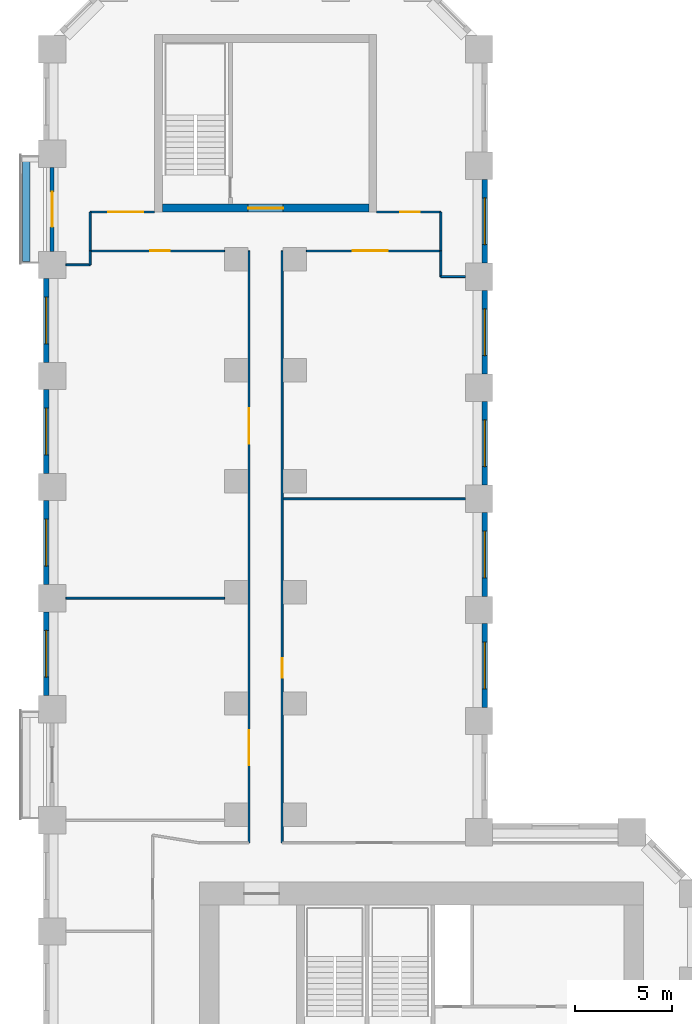
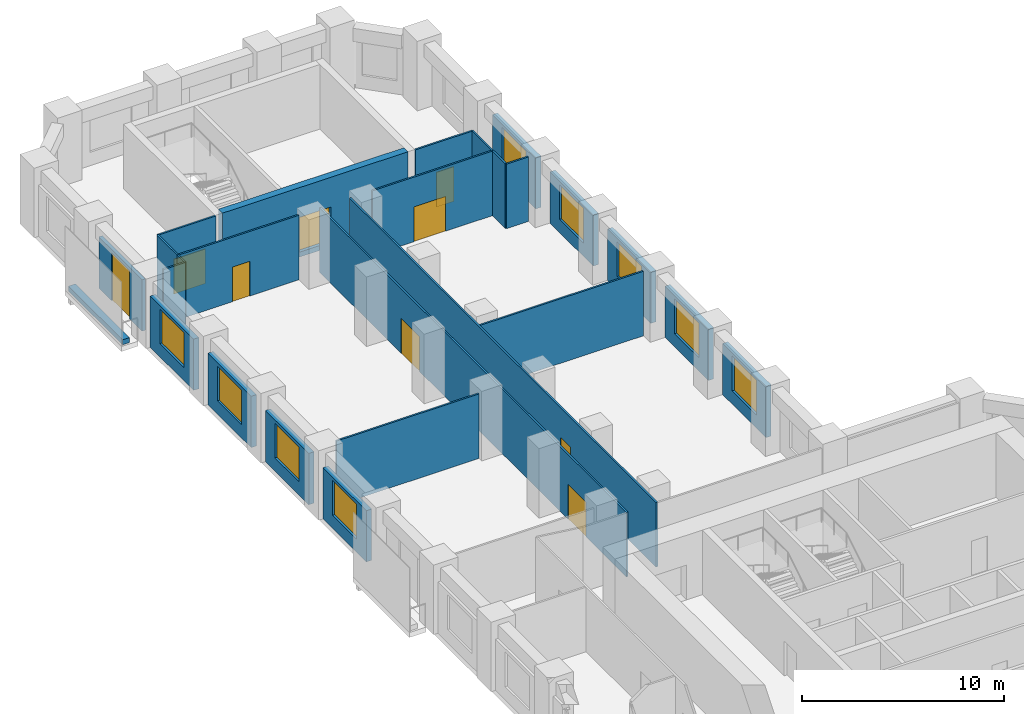
# One storey, part 8 of 11: 26 walls, 9 doors, 9 windows, 18 openings.
"""IFC4 building model written with IfcOpenShell, lengths in metres."""

from ifc_helpers import new_model, si_unit, direction, frame, frame_2d, origin, place, context, subcontext, project, spatial, rectangle, extrude, material, layer, layer_set, type_object, element, fill, save


model = new_model("IFC4")

# Units and contexts
model_context = context("Model", 3, precision=1e-05, world=origin(), true_north=direction((0.0, 1.0)))
body_context = subcontext(model_context, "Body", "Model", "MODEL_VIEW")
ifc_project = project(units=[si_unit("LENGTHUNIT", "METRE"), si_unit("AREAUNIT", "SQUARE_METRE"), si_unit("VOLUMEUNIT", "CUBIC_METRE"), si_unit("PLANEANGLEUNIT", "RADIAN"), si_unit("MASSUNIT", "GRAM", prefix="KILO")], contexts=[model_context])

# Site, building, storey
site_placement = place(None, origin())
site = spatial("IfcSite", under=ifc_project, at=site_placement, CompositionType="ELEMENT")
building_placement = place(site_placement, origin())
building = spatial("IfcBuilding", under=site, at=building_placement, Name="Meshkara Civic Tower", CompositionType="ELEMENT")
storey_placement = place(building_placement, frame((0.0, 0.0, 45.60009765625)))
storey = spatial("IfcBuildingStorey", under=building, at=storey_placement, Name="L09", CompositionType="ELEMENT", Elevation=45.60009765625)

# Wall, opening, door
ifc_material_1 = material(Name="Corridor wall 100")
ifc_layer_1 = layer(ifc_material_1, 0.10009765625)
ifc_layer_set_1 = layer_set([ifc_layer_1], Name="Corridor wall 100")
wall_type_1 = type_object("IfcWallType", Name="Corridor wall 100", PredefinedType="PARTITIONING", material=ifc_layer_set_1)
wall_1_placement = place(storey_placement, frame((2.39990234375, 69.27001953125, 0.0), z_axis=(0.0, 0.0, 1.0), x_axis=(1.0, 0.0, 0.0)))
wall_1 = element("IfcWall", 1, at=wall_1_placement, inside=storey, type_object=wall_type_1, Name="L09-W001", PredefinedType="PARTITIONING", context=body_context, shape_type="SweptSolid", body=[
    extrude(rectangle(XDim=6.900146484375, YDim=0.10009765625, at=frame_2d((3.4501953125, 0.0))), origin(), (0.0, 0.0, 1.0), 3.89990234375),
])
opening_1_placement = place(wall_1_placement, frame((3.080078125, 0.0, 0.0)))
opening_1 = element("IfcOpeningElement", 2, at=opening_1_placement, cuts=wall_1, Name="Opening L09-D026", PredefinedType="OPENING", context=body_context, shape_type="SweptSolid", body=[
    extrude(rectangle(XDim=1.0, YDim=2.10009765625, at=frame_2d((0.5, 1.050048828125))), frame((0.0, 0.06005859375, 0.0), z_axis=(0.0, -1.0, 0.0), x_axis=(1.0, 0.0, 0.0)), (0.0, 0.0, 1.0), 0.1201171875),
])
ifc_material_2 = material(Name="Door 1000 x 2100")
door_type_1 = type_object("IfcDoorType", Name="Door 1000 x 2100", OperationType="SINGLE_SWING_LEFT", PredefinedType="DOOR", material=ifc_material_2)
door_1_placement = place(opening_1_placement, origin())
door_1 = element("IfcDoor", 3, at=door_1_placement, inside=storey, type_object=door_type_1, Name="L09-D026", OperationType="SINGLE_SWING_LEFT", OverallHeight=2.10009765625, OverallWidth=1.0, PredefinedType="DOOR", context=body_context, shape_type="SweptSolid", body=[
    extrude(rectangle(XDim=1.0, YDim=2.10009765625, at=frame_2d((0.5, 1.050048828125))), frame((0.0, 0.02490234375, 0.0), z_axis=(0.0, -1.0, 0.0), x_axis=(1.0, 0.0, 0.0)), (0.0, 0.0, 1.0), 0.050048828125),
])
fill(opening_1, door_1)

# Wall
wall_2_placement = place(storey_placement, frame((2.39990234375, 71.27001953125, 0.0), z_axis=(0.0, 0.0, 1.0), x_axis=(0.0, -1.0, 0.0)))
element("IfcWall", 4, at=wall_2_placement, inside=storey, type_object=wall_type_1, Name="L09-W002", PredefinedType="PARTITIONING", context=body_context, shape_type="SweptSolid", body=[
    extrude(rectangle(XDim=2.0, YDim=0.10009765625, at=frame_2d((1.0, 0.0))), origin(), (0.0, 0.0, 1.0), 3.89990234375),
])

# Wall, opening, door
wall_3_placement = place(storey_placement, frame((5.699951171875, 71.27001953125, 0.0), z_axis=(0.0, 0.0, 1.0), x_axis=(-1.0, 0.0, 0.0)))
wall_3 = element("IfcWall", 5, at=wall_3_placement, inside=storey, type_object=wall_type_1, Name="L09-W006", PredefinedType="PARTITIONING", context=body_context, shape_type="SweptSolid", body=[
    extrude(rectangle(XDim=3.300048828125, YDim=0.10009765625, at=frame_2d((1.64990234375, 0.0))), origin(), (0.0, 0.0, 1.0), 3.89990234375),
])
opening_2_placement = place(wall_3_placement, frame((0.580078125, 0.0, 0.0)))
opening_2 = element("IfcOpeningElement", 6, at=opening_2_placement, cuts=wall_3, Name="Opening L09-D025", PredefinedType="OPENING", context=body_context, shape_type="SweptSolid", body=[
    extrude(rectangle(XDim=1.800048828125, YDim=2.10009765625, at=frame_2d((0.89990234375, 1.050048828125))), frame((0.0, 0.06005859375, 0.0), z_axis=(0.0, -1.0, 0.0), x_axis=(1.0, 0.0, 0.0)), (0.0, 0.0, 1.0), 0.1201171875),
])
ifc_material_3 = material(Name="Door pair 1800 x 2100")
door_type_2 = type_object("IfcDoorType", Name="Door pair 1800 x 2100", OperationType="SINGLE_SWING_LEFT", PredefinedType="DOOR", material=ifc_material_3)
door_2_placement = place(opening_2_placement, origin())
door_2 = element("IfcDoor", 7, at=door_2_placement, inside=storey, type_object=door_type_2, Name="L09-D025", OperationType="DOUBLE_DOOR_SINGLE_SWING", OverallHeight=2.10009765625, OverallWidth=1.800048828125, PredefinedType="DOOR", context=body_context, shape_type="SweptSolid", body=[
    extrude(rectangle(XDim=1.800048828125, YDim=2.10009765625, at=frame_2d((0.89990234375, 1.050048828125))), frame((0.0, 0.02490234375, 0.0), z_axis=(0.0, -1.0, 0.0), x_axis=(1.0, 0.0, 0.0)), (0.0, 0.0, 1.0), 0.050048828125),
])
fill(opening_2, door_2)

# Wall, openings, doors
wall_4_placement = place(storey_placement, frame((10.550048828125, 69.27001953125, 0.0), z_axis=(0.0, 0.0, 1.0), x_axis=(0.0, -1.0, 0.0)))
wall_4 = element("IfcWall", 8, at=wall_4_placement, inside=storey, type_object=wall_type_1, Name="L09-W014", PredefinedType="PARTITIONING", context=body_context, shape_type="SweptSolid", body=[
    extrude(rectangle(XDim=30.3701171875, YDim=0.10009765625, at=frame_2d((15.18505859375, 0.0))), origin(), (0.0, 0.0, 1.0), 3.89990234375),
])
opening_3_placement = place(wall_4_placement, frame((24.594970703125, 0.0, 0.0)))
opening_3 = element("IfcOpeningElement", 9, at=opening_3_placement, cuts=wall_4, Name="Opening L09-D022", PredefinedType="OPENING", context=body_context, shape_type="SweptSolid", body=[
    extrude(rectangle(XDim=1.800048828125, YDim=2.10009765625, at=frame_2d((0.89990234375, 1.050048828125))), frame((0.0, 0.06005859375, 0.0), z_axis=(0.0, -1.0, 0.0), x_axis=(1.0, 0.0, 0.0)), (0.0, 0.0, 1.0), 0.1201171875),
])
opening_4_placement = place(wall_4_placement, frame((8.080078125, 0.0, 0.0)))
opening_4 = element("IfcOpeningElement", 10, at=opening_4_placement, cuts=wall_4, Name="Opening L09-D024", PredefinedType="OPENING", context=body_context, shape_type="SweptSolid", body=[
    extrude(rectangle(XDim=1.800048828125, YDim=2.10009765625, at=frame_2d((0.89990234375, 1.050048828125))), frame((0.0, 0.06005859375, 0.0), z_axis=(0.0, -1.0, 0.0), x_axis=(1.0, 0.0, 0.0)), (0.0, 0.0, 1.0), 0.1201171875),
])
door_3_placement = place(opening_3_placement, origin())
door_3 = element("IfcDoor", 11, at=door_3_placement, inside=storey, type_object=door_type_2, Name="L09-D022", OperationType="DOUBLE_DOOR_SINGLE_SWING", OverallHeight=2.10009765625, OverallWidth=1.800048828125, PredefinedType="DOOR", context=body_context, shape_type="SweptSolid", body=[
    extrude(rectangle(XDim=1.800048828125, YDim=2.10009765625, at=frame_2d((0.89990234375, 1.050048828125))), frame((0.0, 0.02490234375, 0.0), z_axis=(0.0, -1.0, 0.0), x_axis=(1.0, 0.0, 0.0)), (0.0, 0.0, 1.0), 0.050048828125),
])
fill(opening_3, door_3)
door_4_placement = place(opening_4_placement, origin())
door_4 = element("IfcDoor", 12, at=door_4_placement, inside=storey, type_object=door_type_2, Name="L09-D024", OperationType="DOUBLE_DOOR_SINGLE_SWING", OverallHeight=2.10009765625, OverallWidth=1.800048828125, PredefinedType="DOOR", context=body_context, shape_type="SweptSolid", body=[
    extrude(rectangle(XDim=1.800048828125, YDim=2.10009765625, at=frame_2d((0.89990234375, 1.050048828125))), frame((0.0, 0.02490234375, 0.0), z_axis=(0.0, -1.0, 0.0), x_axis=(1.0, 0.0, 0.0)), (0.0, 0.0, 1.0), 0.050048828125),
])
fill(opening_4, door_4)

# Wall, opening, door
wall_5_placement = place(storey_placement, frame((12.25, 69.27001953125, 0.0), z_axis=(0.0, 0.0, 1.0), x_axis=(0.0, -1.0, 0.0)))
wall_5 = element("IfcWall", 13, at=wall_5_placement, inside=storey, type_object=wall_type_1, Name="L09-W015", PredefinedType="PARTITIONING", context=body_context, shape_type="SweptSolid", body=[
    extrude(rectangle(XDim=30.3701171875, YDim=0.10009765625, at=frame_2d((15.18505859375, 0.0))), origin(), (0.0, 0.0, 1.0), 3.89990234375),
])
opening_5_placement = place(wall_5_placement, frame((20.89990234375, 0.0, 0.0)))
opening_5 = element("IfcOpeningElement", 14, at=opening_5_placement, cuts=wall_5, Name="Opening L09-D023", PredefinedType="OPENING", context=body_context, shape_type="SweptSolid", body=[
    extrude(rectangle(XDim=1.0, YDim=2.10009765625, at=frame_2d((0.5, 1.050048828125))), frame((0.0, 0.06005859375, 0.0), z_axis=(0.0, -1.0, 0.0), x_axis=(1.0, 0.0, 0.0)), (0.0, 0.0, 1.0), 0.1201171875),
])
door_5_placement = place(opening_5_placement, origin())
door_5 = element("IfcDoor", 15, at=door_5_placement, inside=storey, type_object=door_type_1, Name="L09-D023", OperationType="SINGLE_SWING_LEFT", OverallHeight=2.10009765625, OverallWidth=1.0, PredefinedType="DOOR", context=body_context, shape_type="SweptSolid", body=[
    extrude(rectangle(XDim=1.0, YDim=2.10009765625, at=frame_2d((0.5, 1.050048828125))), frame((0.0, 0.02490234375, 0.0), z_axis=(0.0, -1.0, 0.0), x_axis=(1.0, 0.0, 0.0)), (0.0, 0.0, 1.0), 0.050048828125),
])
fill(opening_5, door_5)

wall_6_placement = place(storey_placement, frame((13.5, 69.27001953125, 0.0), z_axis=(0.0, 0.0, 1.0), x_axis=(1.0, 0.0, 0.0)))
wall_6 = element("IfcWall", 16, at=wall_6_placement, inside=storey, type_object=wall_type_1, Name="L09-W017", PredefinedType="PARTITIONING", context=body_context, shape_type="SweptSolid", body=[
    extrude(rectangle(XDim=6.89990234375, YDim=0.10009765625, at=frame_2d((3.449951171875, 0.0))), origin(), (0.0, 0.0, 1.0), 3.89990234375),
])
opening_6_placement = place(wall_6_placement, frame((2.3798828125, 0.0, 0.0)))
opening_6 = element("IfcOpeningElement", 17, at=opening_6_placement, cuts=wall_6, Name="Opening L09-D027", PredefinedType="OPENING", context=body_context, shape_type="SweptSolid", body=[
    extrude(rectangle(XDim=1.800048828125, YDim=2.10009765625, at=frame_2d((0.89990234375, 1.050048828125))), frame((0.0, 0.06005859375, 0.0), z_axis=(0.0, -1.0, 0.0), x_axis=(1.0, 0.0, 0.0)), (0.0, 0.0, 1.0), 0.1201171875),
])
door_6_placement = place(opening_6_placement, origin())
door_6 = element("IfcDoor", 18, at=door_6_placement, inside=storey, type_object=door_type_2, Name="L09-D027", OperationType="DOUBLE_DOOR_SINGLE_SWING", OverallHeight=2.10009765625, OverallWidth=1.800048828125, PredefinedType="DOOR", context=body_context, shape_type="SweptSolid", body=[
    extrude(rectangle(XDim=1.800048828125, YDim=2.10009765625, at=frame_2d((0.89990234375, 1.050048828125))), frame((0.0, 0.02490234375, 0.0), z_axis=(0.0, -1.0, 0.0), x_axis=(1.0, 0.0, 0.0)), (0.0, 0.0, 1.0), 0.050048828125),
])
fill(opening_6, door_6)

# Wall
wall_7_placement = place(storey_placement, frame((20.39990234375, 69.27001953125, 0.0), z_axis=(0.0, 0.0, 1.0), x_axis=(0.0, 1.0, 0.0)))
element("IfcWall", 19, at=wall_7_placement, inside=storey, type_object=wall_type_1, Name="L09-W018", PredefinedType="PARTITIONING", context=body_context, shape_type="SweptSolid", body=[
    extrude(rectangle(XDim=2.0, YDim=0.10009765625, at=frame_2d((1.0, 0.0))), origin(), (0.0, 0.0, 1.0), 3.89990234375),
])

# Wall, opening, door
wall_8_placement = place(storey_placement, frame((20.39990234375, 71.27001953125, 0.0), z_axis=(0.0, 0.0, 1.0), x_axis=(-1.0, 0.0, 0.0)))
wall_8 = element("IfcWall", 20, at=wall_8_placement, inside=storey, type_object=wall_type_1, Name="L09-W019", PredefinedType="PARTITIONING", context=body_context, shape_type="SweptSolid", body=[
    extrude(rectangle(XDim=3.2998046875, YDim=0.10009765625, at=frame_2d((1.64990234375, 0.0))), origin(), (0.0, 0.0, 1.0), 3.89990234375),
])
opening_7_placement = place(wall_8_placement, frame((1.080078125, 0.0, 0.0)))
opening_7 = element("IfcOpeningElement", 21, at=opening_7_placement, cuts=wall_8, Name="Opening L09-D028", PredefinedType="OPENING", context=body_context, shape_type="SweptSolid", body=[
    extrude(rectangle(XDim=1.0, YDim=2.10009765625, at=frame_2d((0.5, 1.050048828125))), frame((0.0, 0.06005859375, 0.0), z_axis=(0.0, -1.0, 0.0), x_axis=(1.0, 0.0, 0.0)), (0.0, 0.0, 1.0), 0.1201171875),
])
door_7_placement = place(opening_7_placement, origin())
door_7 = element("IfcDoor", 22, at=door_7_placement, inside=storey, type_object=door_type_1, Name="L09-D028", OperationType="SINGLE_SWING_RIGHT", OverallHeight=2.10009765625, OverallWidth=1.0, PredefinedType="DOOR", context=body_context, shape_type="SweptSolid", body=[
    extrude(rectangle(XDim=1.0, YDim=2.10009765625, at=frame_2d((0.5, 1.050048828125))), frame((0.0, 0.02490234375, 0.0), z_axis=(0.0, -1.0, 0.0), x_axis=(1.0, 0.0, 0.0)), (0.0, 0.0, 1.0), 0.050048828125),
])
fill(opening_7, door_7)

# Wall, opening, window
ifc_material_4 = material(Name="Insulated infill panel with bronze anodised aluminium cladding", Category="aluminium")
ifc_layer_2 = layer(ifc_material_4, 0.300048828125)
ifc_layer_set_2 = layer_set([ifc_layer_2], Name="EXTERNAL INFILL WALL 300")
wall_type_2 = type_object("IfcWallType", Name="EXTERNAL INFILL WALL 300", PredefinedType="SOLIDWALL", material=ifc_layer_set_2)
wall_9_placement = place(storey_placement, frame((22.64990234375, 45.85009765625, 0.0), z_axis=(0.0, 0.0, 1.0), x_axis=(0.0, 1.0, 0.0)))
wall_9 = element("IfcWall", 23, at=wall_9_placement, inside=storey, type_object=wall_type_2, Name="External wall", PredefinedType="SOLIDWALL", context=body_context, shape_type="SweptSolid", body=[
    extrude(rectangle(XDim=4.2998046875, YDim=0.300048828125, at=frame_2d((2.14990234375, 0.0))), origin(), (0.0, 0.0, 1.0), 3.099853515625),
])
opening_8_placement = place(wall_9_placement, frame((0.949951171875, 0.0, 0.800048828125)))
opening_8 = element("IfcOpeningElement", 24, at=opening_8_placement, cuts=wall_9, Name="Opening W7", PredefinedType="OPENING", context=body_context, shape_type="SweptSolid", body=[
    extrude(rectangle(XDim=2.39990234375, YDim=2.10009765625, at=frame_2d((1.199951171875, 1.050048828125))), frame((0.0, 0.159912109375, 0.0), z_axis=(0.0, -1.0, 0.0), x_axis=(1.0, 0.0, 0.0)), (0.0, 0.0, 1.0), 0.320068359375),
])
ifc_material_5 = material(Name="Tinted double glazing", Category="glass")
window_type = type_object("IfcWindowType", Name="WINDOW 2400x2100", PartitioningType="DOUBLE_PANEL_VERTICAL", PredefinedType="WINDOW", material=ifc_material_5)
window_1_placement = place(opening_8_placement, origin())
window_1 = element("IfcWindow", 25, at=window_1_placement, inside=storey, type_object=window_type, Name="Window", OverallHeight=2.10009765625, OverallWidth=2.39990234375, PartitioningType="DOUBLE_PANEL_VERTICAL", PredefinedType="WINDOW", context=body_context, shape_type="SweptSolid", body=[
    extrude(rectangle(XDim=2.39990234375, YDim=2.10009765625, at=frame_2d((1.199951171875, 1.050048828125))), frame((0.0, 0.030029296875, 0.0), z_axis=(0.0, -1.0, 0.0), x_axis=(1.0, 0.0, 0.0)), (0.0, 0.0, 1.0), 0.06005859375),
])
fill(opening_8, window_1)

wall_10_placement = place(storey_placement, frame((22.64990234375, 51.550048828125, 0.0), z_axis=(0.0, 0.0, 1.0), x_axis=(0.0, 1.0, 0.0)))
wall_10 = element("IfcWall", 26, at=wall_10_placement, inside=storey, type_object=wall_type_2, Name="External wall", PredefinedType="SOLIDWALL", context=body_context, shape_type="SweptSolid", body=[
    extrude(rectangle(XDim=4.300048828125, YDim=0.300048828125, at=frame_2d((2.14990234375, 0.0))), origin(), (0.0, 0.0, 1.0), 3.099853515625),
])
opening_9_placement = place(wall_10_placement, frame((0.949951171875, 0.0, 0.800048828125)))
opening_9 = element("IfcOpeningElement", 27, at=opening_9_placement, cuts=wall_10, Name="Opening W7", PredefinedType="OPENING", context=body_context, shape_type="SweptSolid", body=[
    extrude(rectangle(XDim=2.39990234375, YDim=2.10009765625, at=frame_2d((1.199951171875, 1.050048828125))), frame((0.0, 0.159912109375, 0.0), z_axis=(0.0, -1.0, 0.0), x_axis=(1.0, 0.0, 0.0)), (0.0, 0.0, 1.0), 0.320068359375),
])
window_2_placement = place(opening_9_placement, origin())
window_2 = element("IfcWindow", 28, at=window_2_placement, inside=storey, type_object=window_type, Name="Window", OverallHeight=2.10009765625, OverallWidth=2.39990234375, PartitioningType="DOUBLE_PANEL_VERTICAL", PredefinedType="WINDOW", context=body_context, shape_type="SweptSolid", body=[
    extrude(rectangle(XDim=2.39990234375, YDim=2.10009765625, at=frame_2d((1.199951171875, 1.050048828125))), frame((0.0, 0.030029296875, 0.0), z_axis=(0.0, -1.0, 0.0), x_axis=(1.0, 0.0, 0.0)), (0.0, 0.0, 1.0), 0.06005859375),
])
fill(opening_9, window_2)

wall_11_placement = place(storey_placement, frame((22.64990234375, 57.25, 0.0), z_axis=(0.0, 0.0, 1.0), x_axis=(0.0, 1.0, 0.0)))
wall_11 = element("IfcWall", 29, at=wall_11_placement, inside=storey, type_object=wall_type_2, Name="External wall", PredefinedType="SOLIDWALL", context=body_context, shape_type="SweptSolid", body=[
    extrude(rectangle(XDim=4.300048828125, YDim=0.300048828125, at=frame_2d((2.14990234375, 0.0))), origin(), (0.0, 0.0, 1.0), 3.099853515625),
])
opening_10_placement = place(wall_11_placement, frame((0.949951171875, 0.0, 0.800048828125)))
opening_10 = element("IfcOpeningElement", 30, at=opening_10_placement, cuts=wall_11, Name="Opening W7", PredefinedType="OPENING", context=body_context, shape_type="SweptSolid", body=[
    extrude(rectangle(XDim=2.39990234375, YDim=2.10009765625, at=frame_2d((1.199951171875, 1.050048828125))), frame((0.0, 0.159912109375, 0.0), z_axis=(0.0, -1.0, 0.0), x_axis=(1.0, 0.0, 0.0)), (0.0, 0.0, 1.0), 0.320068359375),
])
window_3_placement = place(opening_10_placement, origin())
window_3 = element("IfcWindow", 31, at=window_3_placement, inside=storey, type_object=window_type, Name="Window", OverallHeight=2.10009765625, OverallWidth=2.39990234375, PartitioningType="DOUBLE_PANEL_VERTICAL", PredefinedType="WINDOW", context=body_context, shape_type="SweptSolid", body=[
    extrude(rectangle(XDim=2.39990234375, YDim=2.10009765625, at=frame_2d((1.199951171875, 1.050048828125))), frame((0.0, 0.030029296875, 0.0), z_axis=(0.0, -1.0, 0.0), x_axis=(1.0, 0.0, 0.0)), (0.0, 0.0, 1.0), 0.06005859375),
])
fill(opening_10, window_3)

wall_12_placement = place(storey_placement, frame((22.64990234375, 62.949951171875, 0.0), z_axis=(0.0, 0.0, 1.0), x_axis=(0.0, 1.0, 0.0)))
wall_12 = element("IfcWall", 32, at=wall_12_placement, inside=storey, type_object=wall_type_2, Name="External wall", PredefinedType="SOLIDWALL", context=body_context, shape_type="SweptSolid", body=[
    extrude(rectangle(XDim=4.300048828125, YDim=0.300048828125, at=frame_2d((2.14990234375, 0.0))), origin(), (0.0, 0.0, 1.0), 3.099853515625),
])
opening_11_placement = place(wall_12_placement, frame((0.949951171875, 0.0, 0.800048828125)))
opening_11 = element("IfcOpeningElement", 33, at=opening_11_placement, cuts=wall_12, Name="Opening W7", PredefinedType="OPENING", context=body_context, shape_type="SweptSolid", body=[
    extrude(rectangle(XDim=2.39990234375, YDim=2.10009765625, at=frame_2d((1.199951171875, 1.050048828125))), frame((0.0, 0.159912109375, 0.0), z_axis=(0.0, -1.0, 0.0), x_axis=(1.0, 0.0, 0.0)), (0.0, 0.0, 1.0), 0.320068359375),
])
window_4_placement = place(opening_11_placement, origin())
window_4 = element("IfcWindow", 34, at=window_4_placement, inside=storey, type_object=window_type, Name="Window", OverallHeight=2.10009765625, OverallWidth=2.39990234375, PartitioningType="DOUBLE_PANEL_VERTICAL", PredefinedType="WINDOW", context=body_context, shape_type="SweptSolid", body=[
    extrude(rectangle(XDim=2.39990234375, YDim=2.10009765625, at=frame_2d((1.199951171875, 1.050048828125))), frame((0.0, 0.030029296875, 0.0), z_axis=(0.0, -1.0, 0.0), x_axis=(1.0, 0.0, 0.0)), (0.0, 0.0, 1.0), 0.06005859375),
])
fill(opening_11, window_4)

wall_13_placement = place(storey_placement, frame((22.64990234375, 68.64990234375, 0.0), z_axis=(0.0, 0.0, 1.0), x_axis=(0.0, 1.0, 0.0)))
wall_13 = element("IfcWall", 35, at=wall_13_placement, inside=storey, type_object=wall_type_2, Name="External wall", PredefinedType="SOLIDWALL", context=body_context, shape_type="SweptSolid", body=[
    extrude(rectangle(XDim=4.300048828125, YDim=0.300048828125, at=frame_2d((2.14990234375, 0.0))), origin(), (0.0, 0.0, 1.0), 3.099853515625),
])
opening_12_placement = place(wall_13_placement, frame((0.949951171875, 0.0, 0.800048828125)))
opening_12 = element("IfcOpeningElement", 36, at=opening_12_placement, cuts=wall_13, Name="Opening W7", PredefinedType="OPENING", context=body_context, shape_type="SweptSolid", body=[
    extrude(rectangle(XDim=2.39990234375, YDim=2.10009765625, at=frame_2d((1.199951171875, 1.050048828125))), frame((0.0, 0.159912109375, 0.0), z_axis=(0.0, -1.0, 0.0), x_axis=(1.0, 0.0, 0.0)), (0.0, 0.0, 1.0), 0.320068359375),
])
window_5_placement = place(opening_12_placement, origin())
window_5 = element("IfcWindow", 37, at=window_5_placement, inside=storey, type_object=window_type, Name="Window", OverallHeight=2.10009765625, OverallWidth=2.39990234375, PartitioningType="DOUBLE_PANEL_VERTICAL", PredefinedType="WINDOW", context=body_context, shape_type="SweptSolid", body=[
    extrude(rectangle(XDim=2.39990234375, YDim=2.10009765625, at=frame_2d((1.199951171875, 1.050048828125))), frame((0.0, 0.030029296875, 0.0), z_axis=(0.0, -1.0, 0.0), x_axis=(1.0, 0.0, 0.0)), (0.0, 0.0, 1.0), 0.06005859375),
])
fill(opening_12, window_5)

wall_14_placement = place(storey_placement, frame((0.14990234375, 67.85498046875, 0.0), z_axis=(0.0, 0.0, 1.0), x_axis=(0.0, -1.0, 0.0)))
wall_14 = element("IfcWall", 38, at=wall_14_placement, inside=storey, type_object=wall_type_2, Name="External wall", PredefinedType="SOLIDWALL", context=body_context, shape_type="SweptSolid", body=[
    extrude(rectangle(XDim=4.300048828125, YDim=0.300048828125, at=frame_2d((2.14990234375, 0.0))), origin(), (0.0, 0.0, 1.0), 3.099853515625),
])
opening_13_placement = place(wall_14_placement, frame((0.949951171875, 0.0, 0.800048828125)))
opening_13 = element("IfcOpeningElement", 39, at=opening_13_placement, cuts=wall_14, Name="Opening W7", PredefinedType="OPENING", context=body_context, shape_type="SweptSolid", body=[
    extrude(rectangle(XDim=2.39990234375, YDim=2.10009765625, at=frame_2d((1.199951171875, 1.050048828125))), frame((0.0, 0.159912109375, 0.0), z_axis=(0.0, -1.0, 0.0), x_axis=(1.0, 0.0, 0.0)), (0.0, 0.0, 1.0), 0.320068359375),
])
window_6_placement = place(opening_13_placement, origin())
window_6 = element("IfcWindow", 40, at=window_6_placement, inside=storey, type_object=window_type, Name="Window", OverallHeight=2.10009765625, OverallWidth=2.39990234375, PartitioningType="DOUBLE_PANEL_VERTICAL", PredefinedType="WINDOW", context=body_context, shape_type="SweptSolid", body=[
    extrude(rectangle(XDim=2.39990234375, YDim=2.10009765625, at=frame_2d((1.199951171875, 1.050048828125))), frame((0.0, 0.030029296875, 0.0), z_axis=(0.0, -1.0, 0.0), x_axis=(1.0, 0.0, 0.0)), (0.0, 0.0, 1.0), 0.06005859375),
])
fill(opening_13, window_6)

wall_15_placement = place(storey_placement, frame((0.14990234375, 62.155029296875, 0.0), z_axis=(0.0, 0.0, 1.0), x_axis=(0.0, -1.0, 0.0)))
wall_15 = element("IfcWall", 41, at=wall_15_placement, inside=storey, type_object=wall_type_2, Name="External wall", PredefinedType="SOLIDWALL", context=body_context, shape_type="SweptSolid", body=[
    extrude(rectangle(XDim=4.300048828125, YDim=0.300048828125, at=frame_2d((2.14990234375, 0.0))), origin(), (0.0, 0.0, 1.0), 3.099853515625),
])
opening_14_placement = place(wall_15_placement, frame((0.949951171875, 0.0, 0.800048828125)))
opening_14 = element("IfcOpeningElement", 42, at=opening_14_placement, cuts=wall_15, Name="Opening W7", PredefinedType="OPENING", context=body_context, shape_type="SweptSolid", body=[
    extrude(rectangle(XDim=2.39990234375, YDim=2.10009765625, at=frame_2d((1.199951171875, 1.050048828125))), frame((0.0, 0.159912109375, 0.0), z_axis=(0.0, -1.0, 0.0), x_axis=(1.0, 0.0, 0.0)), (0.0, 0.0, 1.0), 0.320068359375),
])
window_7_placement = place(opening_14_placement, origin())
window_7 = element("IfcWindow", 43, at=window_7_placement, inside=storey, type_object=window_type, Name="Window", OverallHeight=2.10009765625, OverallWidth=2.39990234375, PartitioningType="DOUBLE_PANEL_VERTICAL", PredefinedType="WINDOW", context=body_context, shape_type="SweptSolid", body=[
    extrude(rectangle(XDim=2.39990234375, YDim=2.10009765625, at=frame_2d((1.199951171875, 1.050048828125))), frame((0.0, 0.030029296875, 0.0), z_axis=(0.0, -1.0, 0.0), x_axis=(1.0, 0.0, 0.0)), (0.0, 0.0, 1.0), 0.06005859375),
])
fill(opening_14, window_7)

wall_16_placement = place(storey_placement, frame((0.14990234375, 56.455078125, 0.0), z_axis=(0.0, 0.0, 1.0), x_axis=(0.0, -1.0, 0.0)))
wall_16 = element("IfcWall", 44, at=wall_16_placement, inside=storey, type_object=wall_type_2, Name="External wall", PredefinedType="SOLIDWALL", context=body_context, shape_type="SweptSolid", body=[
    extrude(rectangle(XDim=4.300048828125, YDim=0.300048828125, at=frame_2d((2.14990234375, 0.0))), origin(), (0.0, 0.0, 1.0), 3.099853515625),
])
opening_15_placement = place(wall_16_placement, frame((0.949951171875, 0.0, 0.800048828125)))
opening_15 = element("IfcOpeningElement", 45, at=opening_15_placement, cuts=wall_16, Name="Opening W7", PredefinedType="OPENING", context=body_context, shape_type="SweptSolid", body=[
    extrude(rectangle(XDim=2.39990234375, YDim=2.10009765625, at=frame_2d((1.199951171875, 1.050048828125))), frame((0.0, 0.159912109375, 0.0), z_axis=(0.0, -1.0, 0.0), x_axis=(1.0, 0.0, 0.0)), (0.0, 0.0, 1.0), 0.320068359375),
])
window_8_placement = place(opening_15_placement, origin())
window_8 = element("IfcWindow", 46, at=window_8_placement, inside=storey, type_object=window_type, Name="Window", OverallHeight=2.10009765625, OverallWidth=2.39990234375, PartitioningType="DOUBLE_PANEL_VERTICAL", PredefinedType="WINDOW", context=body_context, shape_type="SweptSolid", body=[
    extrude(rectangle(XDim=2.39990234375, YDim=2.10009765625, at=frame_2d((1.199951171875, 1.050048828125))), frame((0.0, 0.030029296875, 0.0), z_axis=(0.0, -1.0, 0.0), x_axis=(1.0, 0.0, 0.0)), (0.0, 0.0, 1.0), 0.06005859375),
])
fill(opening_15, window_8)

wall_17_placement = place(storey_placement, frame((0.14990234375, 50.7548828125, 0.0), z_axis=(0.0, 0.0, 1.0), x_axis=(0.0, -1.0, 0.0)))
wall_17 = element("IfcWall", 47, at=wall_17_placement, inside=storey, type_object=wall_type_2, Name="External wall", PredefinedType="SOLIDWALL", context=body_context, shape_type="SweptSolid", body=[
    extrude(rectangle(XDim=4.2998046875, YDim=0.300048828125, at=frame_2d((2.14990234375, 0.0))), origin(), (0.0, 0.0, 1.0), 3.099853515625),
])
opening_16_placement = place(wall_17_placement, frame((0.949951171875, 0.0, 0.800048828125)))
opening_16 = element("IfcOpeningElement", 48, at=opening_16_placement, cuts=wall_17, Name="Opening W7", PredefinedType="OPENING", context=body_context, shape_type="SweptSolid", body=[
    extrude(rectangle(XDim=2.39990234375, YDim=2.10009765625, at=frame_2d((1.199951171875, 1.050048828125))), frame((0.0, 0.159912109375, 0.0), z_axis=(0.0, -1.0, 0.0), x_axis=(1.0, 0.0, 0.0)), (0.0, 0.0, 1.0), 0.320068359375),
])
window_9_placement = place(opening_16_placement, origin())
window_9 = element("IfcWindow", 49, at=window_9_placement, inside=storey, type_object=window_type, Name="Window", OverallHeight=2.10009765625, OverallWidth=2.39990234375, PartitioningType="DOUBLE_PANEL_VERTICAL", PredefinedType="WINDOW", context=body_context, shape_type="SweptSolid", body=[
    extrude(rectangle(XDim=2.39990234375, YDim=2.10009765625, at=frame_2d((1.199951171875, 1.050048828125))), frame((0.0, 0.030029296875, 0.0), z_axis=(0.0, -1.0, 0.0), x_axis=(1.0, 0.0, 0.0)), (0.0, 0.0, 1.0), 0.06005859375),
])
fill(opening_16, window_9)

# Wall, opening, door
ifc_material_6 = material(Name="Concrete C80", Category="concrete")
ifc_layer_3 = layer(ifc_material_6, 0.39990234375)
ifc_layer_set_3 = layer_set([ifc_layer_3], Name="End core ring wall 400 C80")
wall_type_3 = type_object("IfcWallType", Name="End core ring wall 400 C80", PredefinedType="SHEAR", material=ifc_layer_set_3)
wall_18_placement = place(storey_placement, frame((6.10009765625, 71.469970703125, -0.300048828125), z_axis=(0.0, 0.0, 1.0), x_axis=(1.0, 0.0, 0.0)))
wall_18 = element("IfcWall", 50, at=wall_18_placement, inside=storey, type_object=wall_type_3, Name="L09-C027", PredefinedType="SHEAR", context=body_context, shape_type="SweptSolid", body=[
    extrude(rectangle(XDim=10.599853515625, YDim=0.39990234375, at=frame_2d((5.2998046875, 0.0))), origin(), (0.0, 0.0, 1.0), 4.199951171875),
])
opening_17_placement = place(wall_18_placement, frame((4.39990234375, 0.0, 0.300048828125)))
opening_17 = element("IfcOpeningElement", 51, at=opening_17_placement, cuts=wall_18, Name="Opening L09-K102", PredefinedType="OPENING", context=body_context, shape_type="SweptSolid", body=[
    extrude(rectangle(XDim=1.800048828125, YDim=2.10009765625, at=frame_2d((0.89990234375, 1.050048828125))), frame((0.0, 0.2099609375, 0.0), z_axis=(0.0, -1.0, 0.0), x_axis=(1.0, 0.0, 0.0)), (0.0, 0.0, 1.0), 0.419921875),
])
ifc_material_7 = material(Name="Fire-rated door leaf in steel frame", Category="steel")
door_type_3 = type_object("IfcDoorType", Name="Core double door 1800 EI 60", OperationType="DOUBLE_DOOR_SINGLE_SWING", PredefinedType="DOOR", material=ifc_material_7)
door_8_placement = place(opening_17_placement, origin())
door_8 = element("IfcDoor", 52, at=door_8_placement, inside=storey, type_object=door_type_3, Name="L09-K102", OperationType="DOUBLE_DOOR_SINGLE_SWING", OverallHeight=2.10009765625, OverallWidth=1.800048828125, PredefinedType="DOOR", context=body_context, shape_type="SweptSolid", body=[
    extrude(rectangle(XDim=1.800048828125, YDim=2.10009765625, at=frame_2d((0.89990234375, 1.050048828125))), frame((0.0, 0.02490234375, 0.0), z_axis=(0.0, -1.0, 0.0), x_axis=(1.0, 0.0, 0.0)), (0.0, 0.0, 1.0), 0.050048828125),
])
fill(opening_17, door_8)

ifc_material_8 = material(Name="Insulated infill panel with bronze anodised aluminium cladding", Category="aluminium")
ifc_layer_4 = layer(ifc_material_8, 0.199951171875)
ifc_layer_set_4 = layer_set([ifc_layer_4], Name="LOGGIA BACK WALL 200")
wall_type_4 = type_object("IfcWallType", Name="LOGGIA BACK WALL 200", PredefinedType="SOLIDWALL", material=ifc_layer_set_4)
wall_19_placement = place(storey_placement, frame((0.449951171875, 73.553955078125, 0.0), z_axis=(0.0, 0.0, 1.0), x_axis=(0.0, -1.0, 0.0)))
wall_19 = element("IfcWall", 53, at=wall_19_placement, inside=storey, type_object=wall_type_4, Name="Loggia wall", PredefinedType="SOLIDWALL", context=body_context, shape_type="SweptSolid", body=[
    extrude(rectangle(XDim=4.2978515625, YDim=0.199951171875, at=frame_2d((2.14892578125, 0.0))), origin(), (0.0, 0.0, 1.0), 3.099853515625),
])
opening_18_placement = place(wall_19_placement, frame((1.2490234375, 0.0, 0.0)))
opening_18 = element("IfcOpeningElement", 54, at=opening_18_placement, cuts=wall_19, Name="Opening L09-L001", PredefinedType="OPENING", context=body_context, shape_type="SweptSolid", body=[
    extrude(rectangle(XDim=1.800048828125, YDim=2.89990234375, at=frame_2d((0.89990234375, 1.449951171875))), frame((0.0, 0.10986328125, 0.0), z_axis=(0.0, -1.0, 0.0), x_axis=(1.0, 0.0, 0.0)), (0.0, 0.0, 1.0), 0.219970703125),
])
ifc_material_9 = material(Name="Tinted double glazing", Category="glass")
door_type_4 = type_object("IfcDoorType", Name="LOGGIA DOOR 1800x2900", OperationType="DOUBLE_DOOR_SINGLE_SWING", PredefinedType="DOOR", material=ifc_material_9)
door_9_placement = place(opening_18_placement, origin())
door_9 = element("IfcDoor", 55, at=door_9_placement, inside=storey, type_object=door_type_4, Name="L09-L001", OperationType="DOUBLE_DOOR_SINGLE_SWING", OverallHeight=2.89990234375, OverallWidth=1.800048828125, PredefinedType="DOOR", context=body_context, shape_type="SweptSolid", body=[
    extrude(rectangle(XDim=1.800048828125, YDim=2.89990234375, at=frame_2d((0.89990234375, 1.449951171875))), frame((0.0, 0.02490234375, 0.0), z_axis=(0.0, -1.0, 0.0), x_axis=(1.0, 0.0, 0.0)), (0.0, 0.0, 1.0), 0.050048828125),
])
fill(opening_18, door_9)

# Walls
ifc_material_10 = material(Name="Concrete C40", Category="concrete")
ifc_layer_5 = layer(ifc_material_10, 0.39990234375)
ifc_layer_set_5 = layer_set([ifc_layer_5], Name="PLANTER TRAY")
wall_type_5 = type_object("IfcWallType", Name="PLANTER TRAY", PredefinedType="SOLIDWALL", material=ifc_layer_set_5)
wall_20_placement = place(storey_placement, frame((-0.8798828125, 74.0849609375, 0.0), z_axis=(0.0, 0.0, 1.0), x_axis=(0.0, -1.0, 0.0)))
element("IfcWall", 56, at=wall_20_placement, inside=storey, type_object=wall_type_5, Name="Planter", PredefinedType="SOLIDWALL", context=body_context, shape_type="SweptSolid", body=[
    extrude(rectangle(XDim=5.35986328125, YDim=0.39990234375, at=frame_2d((2.679931640625, 0.0))), origin(), (0.0, 0.0, 1.0), 0.2998046875),
])
ifc_material_11 = material(Name="Partition 100")
ifc_layer_6 = layer(ifc_material_11, 0.10009765625)
ifc_layer_set_6 = layer_set([ifc_layer_6], Name="Partition 100")
wall_type_6 = type_object("IfcWallType", Name="Partition 100", PredefinedType="PARTITIONING", material=ifc_layer_set_6)
wall_21_placement = place(storey_placement, frame((2.39990234375, 68.554931640625, 0.0), z_axis=(0.0, 0.0, 1.0), x_axis=(-1.0, 0.0, 0.0)))
element("IfcWall", 57, at=wall_21_placement, inside=storey, type_object=wall_type_6, Name="L09-W031", PredefinedType="PARTITIONING", context=body_context, shape_type="SweptSolid", body=[
    extrude(rectangle(XDim=1.25, YDim=0.10009765625, at=frame_2d((0.625, 0.0))), origin(), (0.0, 0.0, 1.0), 3.89990234375),
])
wall_22_placement = place(storey_placement, frame((2.39990234375, 69.27392578125, 0.0), z_axis=(0.0, 0.0, 1.0), x_axis=(0.0, -1.0, 0.0)))
element("IfcWall", 58, at=wall_22_placement, inside=storey, type_object=wall_type_6, Name="L09-W032", PredefinedType="PARTITIONING", context=body_context, shape_type="SweptSolid", body=[
    extrude(rectangle(XDim=0.718994140625, YDim=0.10009765625, at=frame_2d((0.359375, 0.0))), origin(), (0.0, 0.0, 1.0), 3.89990234375),
])
wall_23_placement = place(storey_placement, frame((9.300048828125, 51.455078125, 0.0), z_axis=(0.0, 0.0, 1.0), x_axis=(-1.0, 0.0, 0.0)))
element("IfcWall", 59, at=wall_23_placement, inside=storey, type_object=wall_type_6, Name="L09-W041", PredefinedType="PARTITIONING", context=body_context, shape_type="SweptSolid", body=[
    extrude(rectangle(XDim=8.150146484375, YDim=0.10009765625, at=frame_2d((4.0751953125, 0.0))), origin(), (0.0, 0.0, 1.0), 3.89990234375),
])
wall_24_placement = place(storey_placement, frame((20.39990234375, 67.949951171875, 0.0), z_axis=(0.0, 0.0, 1.0), x_axis=(0.0, 1.0, 0.0)))
element("IfcWall", 60, at=wall_24_placement, inside=storey, type_object=wall_type_6, Name="L09-W042", PredefinedType="PARTITIONING", context=body_context, shape_type="SweptSolid", body=[
    extrude(rectangle(XDim=1.323974609375, YDim=0.10009765625, at=frame_2d((0.662109375, 0.0))), origin(), (0.0, 0.0, 1.0), 3.89990234375),
])
wall_25_placement = place(storey_placement, frame((21.64990234375, 56.550048828125, 0.0), z_axis=(0.0, 0.0, 1.0), x_axis=(-1.0, 0.0, 0.0)))
element("IfcWall", 61, at=wall_25_placement, inside=storey, type_object=wall_type_6, Name="L09-W044", PredefinedType="PARTITIONING", context=body_context, shape_type="SweptSolid", body=[
    extrude(rectangle(XDim=9.349853515625, YDim=0.10009765625, at=frame_2d((4.6748046875, 0.0))), origin(), (0.0, 0.0, 1.0), 3.89990234375),
])
wall_26_placement = place(storey_placement, frame((21.64990234375, 67.949951171875, 0.0), z_axis=(0.0, 0.0, 1.0), x_axis=(-1.0, 0.0, 0.0)))
element("IfcWall", 62, at=wall_26_placement, inside=storey, type_object=wall_type_6, Name="L09-W045", PredefinedType="PARTITIONING", context=body_context, shape_type="SweptSolid", body=[
    extrude(rectangle(XDim=1.25, YDim=0.10009765625, at=frame_2d((0.625, 0.0))), origin(), (0.0, 0.0, 1.0), 3.89990234375),
])

save(model, "model.ifc")
